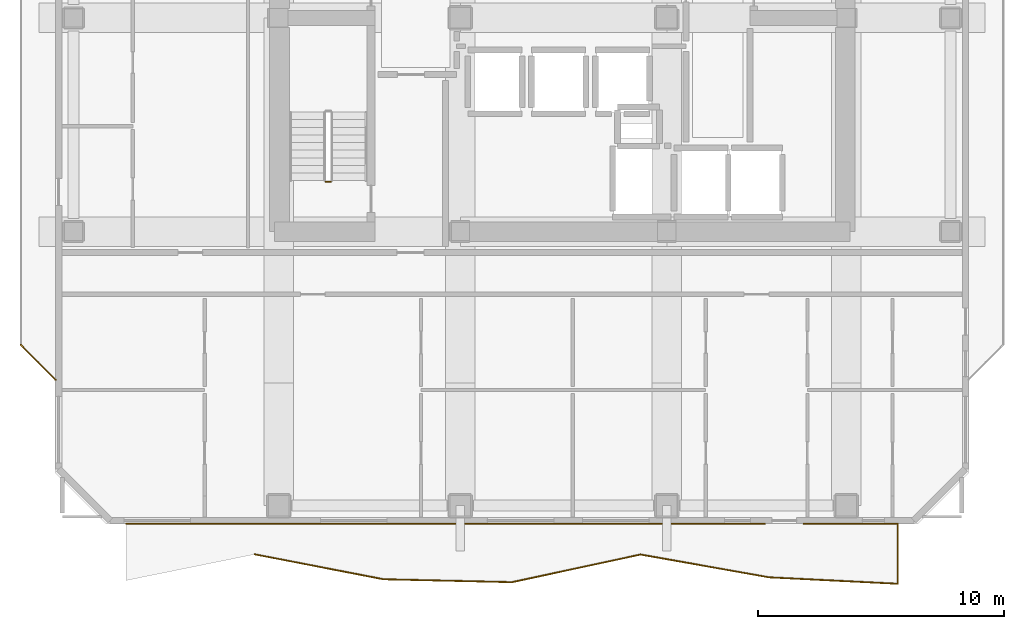
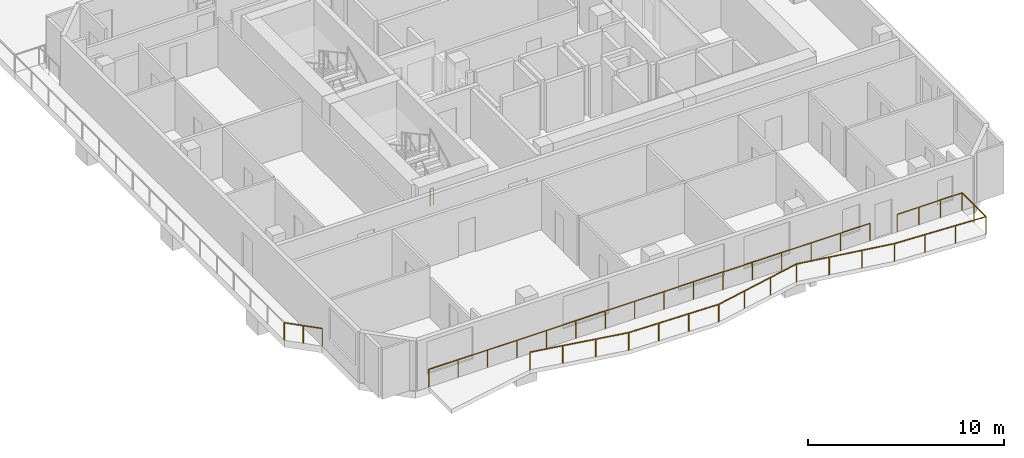
# One storey, part 7 of 10: 4 railings.
"""IFC4 building model written with IfcOpenShell, lengths in metres."""

from ifc_helpers import new_model, si_unit, direction, frame, origin, origin_2d, place, context, subcontext, project, spatial, rectangle, extrude, material, type_object, element, save


model = new_model("IFC4")

# Units and contexts
model_context = context("Model", 3, precision=1e-05, world=origin(), true_north=direction((0.0, 1.0)))
body_context = subcontext(model_context, "Body", "Model", "MODEL_VIEW")
ifc_project = project(units=[si_unit("LENGTHUNIT", "METRE"), si_unit("AREAUNIT", "SQUARE_METRE"), si_unit("VOLUMEUNIT", "CUBIC_METRE"), si_unit("PLANEANGLEUNIT", "RADIAN"), si_unit("MASSUNIT", "GRAM", prefix="KILO")], contexts=[model_context])

# Site, building, storey
site_placement = place(None, origin())
site = spatial("IfcSite", under=ifc_project, at=site_placement, CompositionType="ELEMENT")
building_placement = place(site_placement, origin())
building = spatial("IfcBuilding", under=site, at=building_placement, Name="Solanera Arch Residences", CompositionType="ELEMENT")
storey_placement = place(building_placement, frame((0.0, 0.0, 190.159912109375)))
storey = spatial("IfcBuildingStorey", under=building, at=storey_placement, Name="L55", CompositionType="ELEMENT", Elevation=190.159912109375)

# Railings
ifc_material_1 = material(Name="Steel S355 (ASTM A992 / A572 Grade 50)", Category="steel")
railing_type_1 = type_object("IfcRailingType", Name="Balustrade Railing BL-1100", PredefinedType="BALUSTRADE", material=ifc_material_1)
railing_1_placement = place(storey_placement, frame((12.43310546875, 8.868896484375, 0.0)))
element("IfcRailing", 1, at=railing_1_placement, inside=storey, type_object=railing_type_1, Name="L55 S Balcony Balustrade 1", PredefinedType="BALUSTRADE", context=body_context, shape_type="SweptSolid", body=[
    extrude(rectangle(XDim=0.048095703125, YDim=0.048095703125, at=origin_2d()), frame((0.0, 0.0, 1.09619140625), z_axis=(0.981713926616, -0.190362197637, 0.0), x_axis=(0.190362197637, 0.981713926616, 0.0)), (0.0, 0.0, 1.0), 5.331298828125),
    extrude(rectangle(XDim=0.048095703125, YDim=0.048095703125, at=origin_2d()), frame((5.23388671875, -1.014892578125, 1.09619140625), z_axis=(0.999741980004, -0.022715048253, 0.0), x_axis=(0.022715048253, 0.999741980004, 0.0)), (0.0, 0.0, 1.0), 5.234375),
    extrude(rectangle(XDim=0.048095703125, YDim=0.048095703125, at=origin_2d()), frame((10.466796875, -1.1337890625, 1.09619140625), z_axis=(0.977626532331, 0.21034819534, 0.0), x_axis=(-0.21034819534, 0.977626532331, 0.0)), (0.0, 0.0, 1.0), 5.35302734375),
    extrude(rectangle(XDim=0.048095703125, YDim=0.048095703125, at=origin_2d()), frame((15.699951171875, -0.0078125, 1.09619140625), z_axis=(0.984603637649, -0.174801821294, 0.0), x_axis=(0.174801821294, 0.984603637649, 0.0)), (0.0, 0.0, 1.0), 5.315673828125),
    extrude(rectangle(XDim=0.048095703125, YDim=0.048095703125, at=origin_2d()), frame((20.933837890625, -0.93701171875, 1.09619140625), z_axis=(0.998758721502, -0.04980980048, 0.0), x_axis=(0.04980980048, 0.998758721502, 0.0)), (0.0, 0.0, 1.0), 5.23974609375),
    extrude(rectangle(XDim=0.048095703125, YDim=0.048095703125, at=origin_2d()), frame((26.1669921875, -1.197998046875, 1.09619140625), z_axis=(0.0, 1.0, 0.0), x_axis=(-1.0, 0.0, 0.0)), (0.0, 0.0, 1.0), 2.44921875),
    extrude(rectangle(XDim=0.048095703125, YDim=0.048095703125, at=origin_2d()), frame((26.1669921875, 1.251220703125, 1.09619140625), z_axis=(-1.0, 0.0, 0.0), x_axis=(0.0, -1.0, 0.0)), (0.0, 0.0, 1.0), 3.821044921875),
    extrude(rectangle(XDim=0.0419921875, YDim=0.0419921875, at=origin_2d()), origin(), (0.0, 0.0, 1.0), 1.072021484375),
    extrude(rectangle(XDim=0.0419921875, YDim=0.0419921875, at=origin_2d()), frame((1.74462890625, -0.33837890625, 0.0)), (0.0, 0.0, 1.0), 1.072021484375),
    extrude(rectangle(XDim=0.0419921875, YDim=0.0419921875, at=origin_2d()), frame((3.4892578125, -0.676513671875, 0.0)), (0.0, 0.0, 1.0), 1.072021484375),
    extrude(rectangle(XDim=0.0419921875, YDim=0.0419921875, at=origin_2d()), frame((5.23388671875, -1.014892578125, 0.0)), (0.0, 0.0, 1.0), 1.072021484375),
    extrude(rectangle(XDim=0.0419921875, YDim=0.0419921875, at=origin_2d()), frame((6.978271484375, -1.054443359375, 0.0)), (0.0, 0.0, 1.0), 1.072021484375),
    extrude(rectangle(XDim=0.0419921875, YDim=0.0419921875, at=origin_2d()), frame((8.722412109375, -1.09423828125, 0.0)), (0.0, 0.0, 1.0), 1.072021484375),
    extrude(rectangle(XDim=0.0419921875, YDim=0.0419921875, at=origin_2d()), frame((10.466796875, -1.1337890625, 0.0)), (0.0, 0.0, 1.0), 1.072021484375),
    extrude(rectangle(XDim=0.0419921875, YDim=0.0419921875, at=origin_2d()), frame((12.211181640625, -0.758544921875, 0.0)), (0.0, 0.0, 1.0), 1.072021484375),
    extrude(rectangle(XDim=0.0419921875, YDim=0.0419921875, at=origin_2d()), frame((13.95556640625, -0.383056640625, 0.0)), (0.0, 0.0, 1.0), 1.072021484375),
    extrude(rectangle(XDim=0.0419921875, YDim=0.0419921875, at=origin_2d()), frame((15.699951171875, -0.0078125, 0.0)), (0.0, 0.0, 1.0), 1.072021484375),
    extrude(rectangle(XDim=0.0419921875, YDim=0.0419921875, at=origin_2d()), frame((17.444580078125, -0.317626953125, 0.0)), (0.0, 0.0, 1.0), 1.072021484375),
    extrude(rectangle(XDim=0.0419921875, YDim=0.0419921875, at=origin_2d()), frame((19.189208984375, -0.627197265625, 0.0)), (0.0, 0.0, 1.0), 1.072021484375),
    extrude(rectangle(XDim=0.0419921875, YDim=0.0419921875, at=origin_2d()), frame((20.933837890625, -0.93701171875, 0.0)), (0.0, 0.0, 1.0), 1.072021484375),
    extrude(rectangle(XDim=0.0419921875, YDim=0.0419921875, at=origin_2d()), frame((22.67822265625, -1.02392578125, 0.0)), (0.0, 0.0, 1.0), 1.072021484375),
    extrude(rectangle(XDim=0.0419921875, YDim=0.0419921875, at=origin_2d()), frame((24.422607421875, -1.111083984375, 0.0)), (0.0, 0.0, 1.0), 1.072021484375),
    extrude(rectangle(XDim=0.0419921875, YDim=0.0419921875, at=origin_2d()), frame((26.1669921875, -1.197998046875, 0.0)), (0.0, 0.0, 1.0), 1.072021484375),
    extrude(rectangle(XDim=0.0419921875, YDim=0.0419921875, at=origin_2d()), frame((26.1669921875, 0.026611328125, 0.0)), (0.0, 0.0, 1.0), 1.072021484375),
    extrude(rectangle(XDim=0.0419921875, YDim=0.0419921875, at=origin_2d()), frame((26.1669921875, 1.251220703125, 0.0)), (0.0, 0.0, 1.0), 1.072021484375),
    extrude(rectangle(XDim=0.0419921875, YDim=0.0419921875, at=origin_2d()), frame((24.893310546875, 1.251220703125, 0.0)), (0.0, 0.0, 1.0), 1.072021484375),
    extrude(rectangle(XDim=0.0419921875, YDim=0.0419921875, at=origin_2d()), frame((23.61962890625, 1.251220703125, 0.0)), (0.0, 0.0, 1.0), 1.072021484375),
    extrude(rectangle(XDim=0.0419921875, YDim=0.0419921875, at=origin_2d()), frame((22.345947265625, 1.251220703125, 0.0)), (0.0, 0.0, 1.0), 1.072021484375),
])
railing_2_placement = place(storey_placement, frame((33.178955078125, 10.1201171875, 0.0)))
element("IfcRailing", 2, at=railing_2_placement, inside=storey, type_object=railing_type_1, Name="L55 S Balcony Balustrade 2", PredefinedType="BALUSTRADE", context=body_context, shape_type="SweptSolid", body=[
    extrude(rectangle(XDim=0.048095703125, YDim=0.048095703125, at=origin_2d()), frame((0.0, 0.0, 1.09619140625), z_axis=(-1.0, 0.0, 0.0), x_axis=(0.0, -1.0, 0.0)), (0.0, 0.0, 1.0), 25.97900390625),
    extrude(rectangle(XDim=0.0419921875, YDim=0.0419921875, at=origin_2d()), origin(), (0.0, 0.0, 1.0), 1.072021484375),
    extrude(rectangle(XDim=0.0419921875, YDim=0.0419921875, at=origin_2d()), frame((-1.73193359375, 0.0, 0.0)), (0.0, 0.0, 1.0), 1.072021484375),
    extrude(rectangle(XDim=0.0419921875, YDim=0.0419921875, at=origin_2d()), frame((-3.4638671875, 0.0, 0.0)), (0.0, 0.0, 1.0), 1.072021484375),
    extrude(rectangle(XDim=0.0419921875, YDim=0.0419921875, at=origin_2d()), frame((-5.19580078125, 0.0, 0.0)), (0.0, 0.0, 1.0), 1.072021484375),
    extrude(rectangle(XDim=0.0419921875, YDim=0.0419921875, at=origin_2d()), frame((-6.927734375, 0.0, 0.0)), (0.0, 0.0, 1.0), 1.072021484375),
    extrude(rectangle(XDim=0.0419921875, YDim=0.0419921875, at=origin_2d()), frame((-8.65966796875, 0.0, 0.0)), (0.0, 0.0, 1.0), 1.072021484375),
    extrude(rectangle(XDim=0.0419921875, YDim=0.0419921875, at=origin_2d()), frame((-10.3916015625, 0.0, 0.0)), (0.0, 0.0, 1.0), 1.072021484375),
    extrude(rectangle(XDim=0.0419921875, YDim=0.0419921875, at=origin_2d()), frame((-12.12353515625, 0.0, 0.0)), (0.0, 0.0, 1.0), 1.072021484375),
    extrude(rectangle(XDim=0.0419921875, YDim=0.0419921875, at=origin_2d()), frame((-13.85546875, 0.0, 0.0)), (0.0, 0.0, 1.0), 1.072021484375),
    extrude(rectangle(XDim=0.0419921875, YDim=0.0419921875, at=origin_2d()), frame((-15.58740234375, 0.0, 0.0)), (0.0, 0.0, 1.0), 1.072021484375),
    extrude(rectangle(XDim=0.0419921875, YDim=0.0419921875, at=origin_2d()), frame((-17.3193359375, 0.0, 0.0)), (0.0, 0.0, 1.0), 1.072021484375),
    extrude(rectangle(XDim=0.0419921875, YDim=0.0419921875, at=origin_2d()), frame((-19.05126953125, 0.0, 0.0)), (0.0, 0.0, 1.0), 1.072021484375),
    extrude(rectangle(XDim=0.0419921875, YDim=0.0419921875, at=origin_2d()), frame((-20.783203125, 0.0, 0.0)), (0.0, 0.0, 1.0), 1.072021484375),
    extrude(rectangle(XDim=0.0419921875, YDim=0.0419921875, at=origin_2d()), frame((-22.51513671875, 0.0, 0.0)), (0.0, 0.0, 1.0), 1.072021484375),
    extrude(rectangle(XDim=0.0419921875, YDim=0.0419921875, at=origin_2d()), frame((-24.2470703125, 0.0, 0.0)), (0.0, 0.0, 1.0), 1.072021484375),
    extrude(rectangle(XDim=0.0419921875, YDim=0.0419921875, at=origin_2d()), frame((-25.97900390625, 0.0, 0.0)), (0.0, 0.0, 1.0), 1.072021484375),
])
railing_3_placement = place(storey_placement, frame((2.89990234375, 17.39990234375, 0.0)))
element("IfcRailing", 3, at=railing_3_placement, inside=storey, type_object=railing_type_1, Name="L55 Sky Terrace Guardrail 1", PredefinedType="BALUSTRADE", context=body_context, shape_type="SweptSolid", body=[
    extrude(rectangle(XDim=0.048095703125, YDim=0.048095703125, at=origin_2d()), frame((0.0, 0.0, 1.09619140625), z_axis=(0.707167563133, -0.707045994015, 0.0), x_axis=(0.707045994015, 0.707167563133, 0.0)), (0.0, 0.0, 1.0), 2.00830078125),
    extrude(rectangle(XDim=0.0419921875, YDim=0.0419921875, at=origin_2d()), origin(), (0.0, 0.0, 1.0), 1.072021484375),
    extrude(rectangle(XDim=0.0419921875, YDim=0.0419921875, at=origin_2d()), frame((0.7099609375, -0.7099609375, 0.0)), (0.0, 0.0, 1.0), 1.072021484375),
    extrude(rectangle(XDim=0.0419921875, YDim=0.0419921875, at=origin_2d()), frame((1.420166015625, -1.419921875, 0.0)), (0.0, 0.0, 1.0), 1.072021484375),
])
ifc_material_2 = material(Name="Steel S355 (ASTM A992 / A572 Grade 50)", Category="steel")
railing_type_2 = type_object("IfcRailingType", Name="Stair Guardrail GR-1100", PredefinedType="GUARDRAIL", material=ifc_material_2)
railing_4_placement = place(storey_placement, frame((15.52001953125, 24.030029296875, -0.014892578125)))
element("IfcRailing", 4, at=railing_4_placement, inside=storey, type_object=railing_type_2, Name="L55 ST-T3 stair guard 4", PredefinedType="GUARDRAIL", context=body_context, shape_type="SweptSolid", body=[
    extrude(rectangle(XDim=0.048095703125, YDim=0.048095703125, at=origin_2d()), frame((0.0, 0.0, 1.076171875), z_axis=(-1.0, 0.0, 0.0), x_axis=(0.0, -1.0, 0.0)), (0.0, 0.0, 1.0), 0.199951171875),
    extrude(rectangle(XDim=0.0419921875, YDim=0.0419921875, at=origin_2d()), origin(), (0.0, 0.0, 1.0), 1.052001953125),
    extrude(rectangle(XDim=0.0419921875, YDim=0.0419921875, at=origin_2d()), frame((-0.199951171875, 0.0, 0.0)), (0.0, 0.0, 1.0), 1.052001953125),
])

save(model, "model.ifc")
